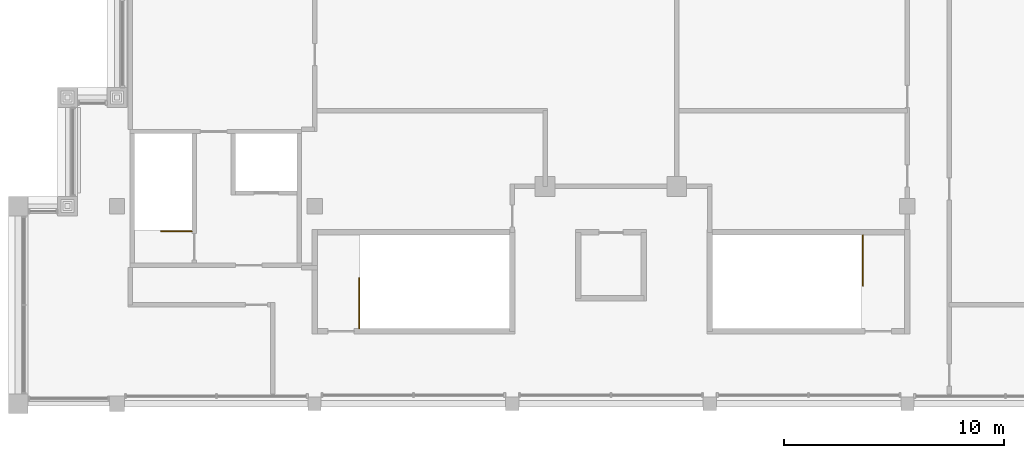
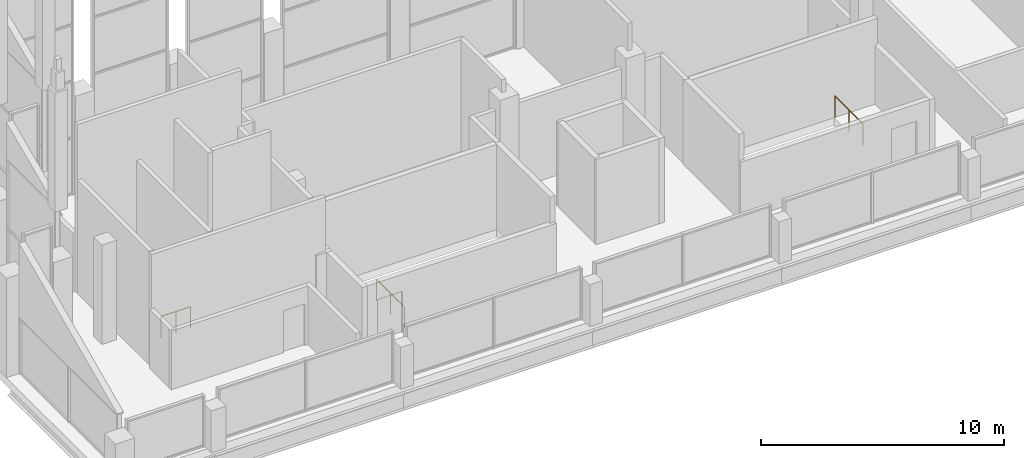
# One storey, part 9 of 9: 3 railings.
"""IFC4 building model written with IfcOpenShell, lengths in metres."""

from ifc_helpers import new_model, si_unit, direction, frame, origin, origin_2d, place, context, subcontext, project, spatial, circle, extrude, material, type_object, element, save


model = new_model("IFC4")

# Units and contexts
model_context = context("Model", 3, precision=1e-05, world=origin(), true_north=direction((0.0, 1.0)))
body_context = subcontext(model_context, "Body", "Model", "MODEL_VIEW")
ifc_project = project(units=[si_unit("LENGTHUNIT", "METRE"), si_unit("AREAUNIT", "SQUARE_METRE"), si_unit("VOLUMEUNIT", "CUBIC_METRE"), si_unit("PLANEANGLEUNIT", "RADIAN"), si_unit("MASSUNIT", "GRAM", prefix="KILO")], contexts=[model_context])

# Site, building, storey
site_placement = place(None, origin())
site = spatial("IfcSite", under=ifc_project, at=site_placement, CompositionType="ELEMENT")
building_placement = place(site_placement, origin())
building = spatial("IfcBuilding", under=site, at=building_placement, Name="Corbelhall Arena Tower", CompositionType="ELEMENT")
storey_placement = place(building_placement, frame((0.0, 0.0, 386.0)))
storey = spatial("IfcBuildingStorey", under=building, at=storey_placement, Name="L83", CompositionType="ELEMENT", Elevation=386.0)

# Railings
ifc_material = material(Name="Steel ASTM A500 Gr C", Category="steel")
railing_type = type_object("IfcRailingType", Name="IN-GD-1100", PredefinedType="GUARDRAIL", material=ifc_material)
railing_1_placement = place(storey_placement, frame((-11.47509765625, 12.425048828125, 0.0)))
element("IfcRailing", 1, at=railing_1_placement, inside=storey, type_object=railing_type, Name="L83 ST1 stair guards and handrails", PredefinedType="GUARDRAIL", context=body_context, shape_type="SweptSolid", body=[
    extrude(circle(Radius=0.02392578125, at=origin_2d()), frame((0.0, 0.0, 1.076171875), z_axis=(0.0, 1.0, 0.0), x_axis=(-1.0, 0.0, 0.0)), (0.0, 0.0, 1.0), 2.300048828125),
    extrude(circle(Radius=0.02099609375, at=origin_2d()), origin(), (0.0, 0.0, 1.0), 1.052001953125),
    extrude(circle(Radius=0.02099609375, at=origin_2d()), frame((0.0, 1.14990234375, 0.0)), (0.0, 0.0, 1.0), 1.052001953125),
    extrude(circle(Radius=0.02099609375, at=origin_2d()), frame((0.0, 2.300048828125, 0.0)), (0.0, 0.0, 1.0), 1.052001953125),
])
railing_2_placement = place(storey_placement, frame((11.47509765625, 16.675048828125, 0.0)))
element("IfcRailing", 2, at=railing_2_placement, inside=storey, type_object=railing_type, Name="L83 ST3 stair guards and handrails", PredefinedType="GUARDRAIL", context=body_context, shape_type="SweptSolid", body=[
    extrude(circle(Radius=0.02392578125, at=origin_2d()), frame((0.0, 0.0, 1.076171875), z_axis=(0.0, -1.0, 0.0), x_axis=(1.0, 0.0, 0.0)), (0.0, 0.0, 1.0), 2.300048828125),
    extrude(circle(Radius=0.02099609375, at=origin_2d()), origin(), (0.0, 0.0, 1.0), 1.052001953125),
    extrude(circle(Radius=0.02099609375, at=origin_2d()), frame((0.0, -1.14990234375, 0.0)), (0.0, 0.0, 1.0), 1.052001953125),
    extrude(circle(Radius=0.02099609375, at=origin_2d()), frame((0.0, -2.300048828125, 0.0)), (0.0, 0.0, 1.0), 1.052001953125),
])
railing_3_placement = place(storey_placement, frame((-19.094970703125, 16.85009765625, 0.0)))
element("IfcRailing", 3, at=railing_3_placement, inside=storey, type_object=railing_type, Name="L83 ST5 stair guards and handrails", PredefinedType="GUARDRAIL", context=body_context, shape_type="SweptSolid", body=[
    extrude(circle(Radius=0.02392578125, at=origin_2d()), frame((0.0, 0.0, 1.076171875), z_axis=(-1.0, 0.0, 0.0), x_axis=(0.0, -1.0, 0.0)), (0.0, 0.0, 1.0), 1.400146484375),
    extrude(circle(Radius=0.02099609375, at=origin_2d()), origin(), (0.0, 0.0, 1.0), 1.052001953125),
    extrude(circle(Radius=0.02099609375, at=origin_2d()), frame((-0.7001953125, 0.0, 0.0)), (0.0, 0.0, 1.0), 1.052001953125),
    extrude(circle(Radius=0.02099609375, at=origin_2d()), frame((-1.400146484375, 0.0, 0.0)), (0.0, 0.0, 1.0), 1.052001953125),
])

save(model, "model.ifc")
